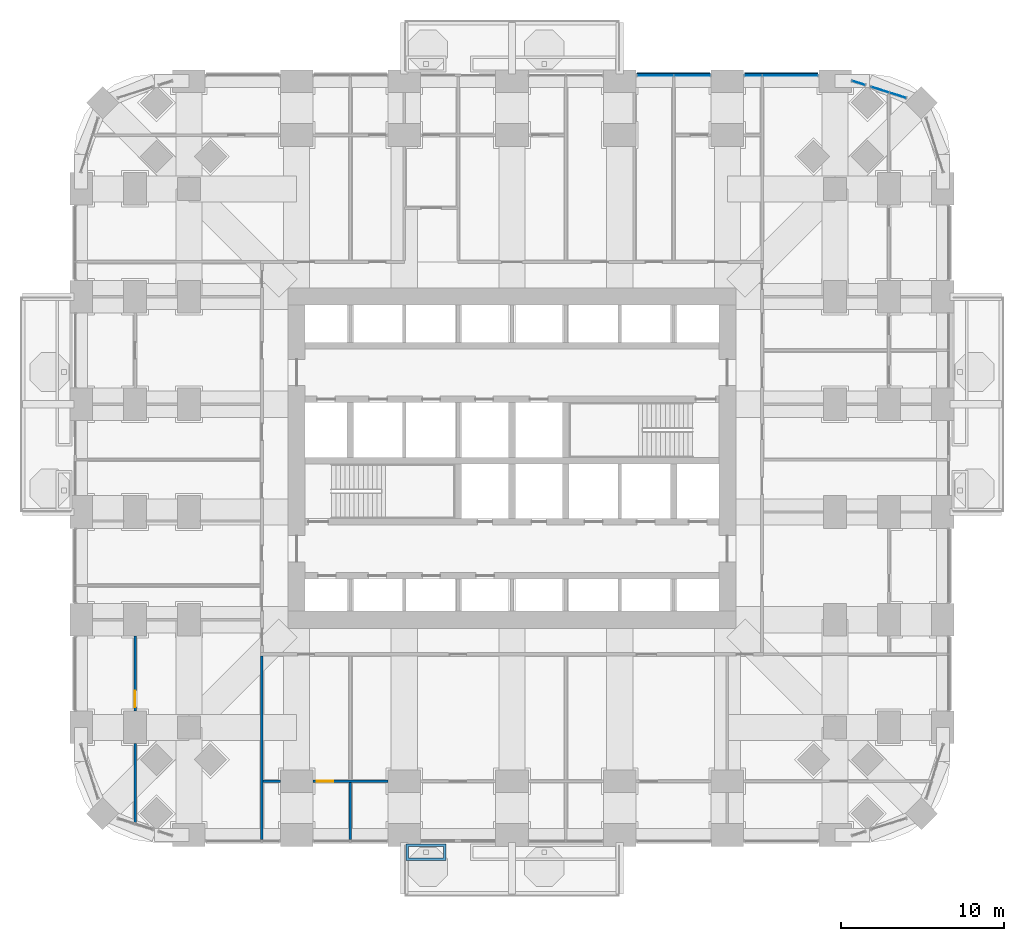
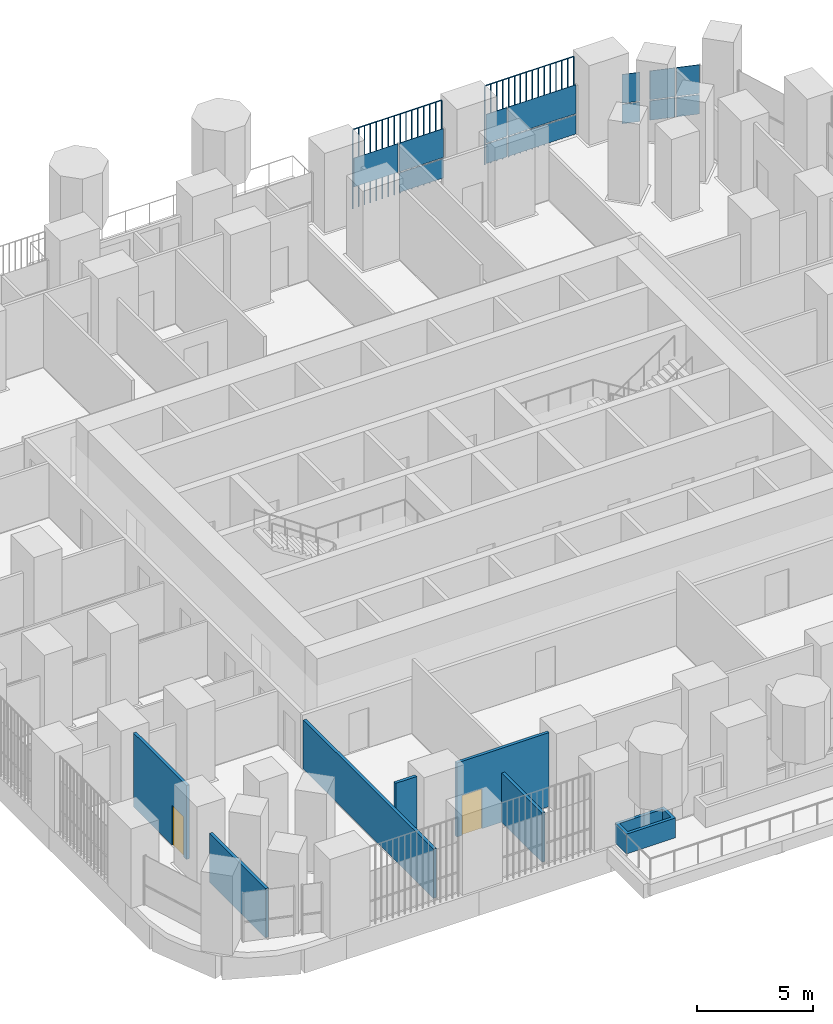
# One storey, part 15 of 25: 15 plates, 7 walls, 2 doors, 2 openings, 4 elements without a shape of their own.
"""IFC4 building model written with IfcOpenShell, lengths in metres."""

from ifc_helpers import new_model, si_unit, direction, frame, frame_2d, origin, origin_2d, place, context, subcontext, project, spatial, polyline, rectangle, outline, extrude, material, layer, layer_set, type_object, element, fill, aggregate, save


model = new_model("IFC4")

# Units and contexts
model_context = context("Model", 3, precision=1e-05, world=origin(), true_north=direction((0.0, 1.0)))
body_context = subcontext(model_context, "Body", "Model", "MODEL_VIEW")
ifc_project = project(units=[si_unit("LENGTHUNIT", "METRE"), si_unit("AREAUNIT", "SQUARE_METRE"), si_unit("VOLUMEUNIT", "CUBIC_METRE"), si_unit("PLANEANGLEUNIT", "RADIAN"), si_unit("MASSUNIT", "GRAM", prefix="KILO")], contexts=[model_context])

# Site, building, storey
site_placement = place(None, origin())
site = spatial("IfcSite", under=ifc_project, at=site_placement, CompositionType="ELEMENT")
building_placement = place(site_placement, origin())
building = spatial("IfcBuilding", under=site, at=building_placement, Name="Cobogo Forest Laboratory Tower", CompositionType="ELEMENT")
storey_placement = place(building_placement, frame((0.0, 0.0, 67.5)))
storey = spatial("IfcBuildingStorey", under=building, at=storey_placement, Name="L15", CompositionType="ELEMENT", Elevation=67.5)

# Curtain wall, plates
ifc_material_1 = material(Name="Aluminium curtain wall", Category="aluminium")
curtain_wall_type = type_object("IfcCurtainWallType", Name="CW-1 unitised curtain wall, clear glazing, laboratory floors zones A and B", PredefinedType="USERDEFINED", material=ifc_material_1)
curtain_wall_1_placement = place(storey_placement, origin())
curtain_wall_1 = element("IfcCurtainWall", 1, at=curtain_wall_1_placement, inside=storey, type_object=curtain_wall_type, Name="Curtain wall 16 L15", ObjectType="UNITISED CURTAIN WALL", PredefinedType="USERDEFINED")
ifc_material_2 = material(Name="Clear insulated glass", Category="glass")
ifc_layer_1 = layer(ifc_material_2, 0.028076171875)
ifc_layer_set_1 = layer_set([ifc_layer_1], Name="GP-1 clear insulated glass unit 28")
plate_type_1 = type_object("IfcPlateType", Name="GP-1 clear insulated glass unit 28", PredefinedType="CURTAIN_PANEL", material=ifc_layer_set_1)
plate_1_placement = place(storey_placement, frame((50.042724609375, 45.33642578125, 0.0), z_axis=(0.0, 0.0, 1.0), x_axis=(-0.953581409645, 0.301135343623, 0.0)))
plate_1 = element("IfcPlate", 2, at=plate_1_placement, type_object=plate_type_1, Name="CW-1 panel 1.1", PredefinedType="CURTAIN_PANEL", context=body_context, shape_type="SweptSolid", body=[
    extrude(rectangle(XDim=1.027587890625, YDim=0.028076171875, at=origin_2d()), origin(), (0.0, 0.0, 1.0), 1.02001953125),
])
plate_2_placement = place(storey_placement, frame((50.042724609375, 45.33642578125, 1.080078125), z_axis=(0.0, 0.0, 1.0), x_axis=(-0.953581409645, 0.301135343623, 0.0)))
plate_2 = element("IfcPlate", 3, at=plate_2_placement, type_object=plate_type_1, Name="CW-1 panel 1.2", PredefinedType="CURTAIN_PANEL", context=body_context, shape_type="SweptSolid", body=[
    extrude(rectangle(XDim=1.027587890625, YDim=0.028076171875, at=origin_2d()), origin(), (0.0, 0.0, 1.0), 1.52001953125),
])
plate_3_placement = place(storey_placement, frame((48.963623046875, 45.67724609375, 0.0), z_axis=(0.0, 0.0, 1.0), x_axis=(-0.953581409645, 0.301135343623, 0.0)))
plate_3 = element("IfcPlate", 4, at=plate_3_placement, type_object=plate_type_1, Name="CW-1 panel 2.1", PredefinedType="CURTAIN_PANEL", context=body_context, shape_type="SweptSolid", body=[
    extrude(rectangle(XDim=1.11572265625, YDim=0.028076171875, at=origin_2d()), origin(), (0.0, 0.0, 1.0), 1.02001953125),
])
plate_4_placement = place(storey_placement, frame((48.963623046875, 45.67724609375, 1.080078125), z_axis=(0.0, 0.0, 1.0), x_axis=(-0.953581409645, 0.301135343623, 0.0)))
plate_4 = element("IfcPlate", 5, at=plate_4_placement, type_object=plate_type_1, Name="CW-1 panel 2.2", PredefinedType="CURTAIN_PANEL", context=body_context, shape_type="SweptSolid", body=[
    extrude(rectangle(XDim=1.11572265625, YDim=0.028076171875, at=origin_2d()), origin(), (0.0, 0.0, 1.0), 1.52001953125),
])
aggregate(curtain_wall_1, [plate_1, plate_2, plate_3, plate_4])

curtain_wall_2_placement = place(storey_placement, origin())
curtain_wall_2 = element("IfcCurtainWall", 6, at=curtain_wall_2_placement, inside=storey, type_object=curtain_wall_type, Name="Curtain wall 17 L15", ObjectType="UNITISED CURTAIN WALL", PredefinedType="USERDEFINED")
plate_5_placement = place(storey_placement, frame((47.640869140625, 46.094970703125, 0.0), z_axis=(0.0, 0.0, 1.0), x_axis=(-0.953581406818, 0.301135352577, 0.0)))
plate_5 = element("IfcPlate", 7, at=plate_5_placement, type_object=plate_type_1, Name="CW-1 panel 1.1", PredefinedType="CURTAIN_PANEL", context=body_context, shape_type="SweptSolid", body=[
    extrude(rectangle(XDim=0.804931640625, YDim=0.028076171875, at=origin_2d()), origin(), (0.0, 0.0, 1.0), 1.02001953125),
])
plate_6_placement = place(storey_placement, frame((47.640869140625, 46.094970703125, 1.080078125), z_axis=(0.0, 0.0, 1.0), x_axis=(-0.953581406818, 0.301135352577, 0.0)))
plate_6 = element("IfcPlate", 8, at=plate_6_placement, type_object=plate_type_1, Name="CW-1 panel 1.2", PredefinedType="CURTAIN_PANEL", context=body_context, shape_type="SweptSolid", body=[
    extrude(rectangle(XDim=0.804931640625, YDim=0.028076171875, at=origin_2d()), origin(), (0.0, 0.0, 1.0), 1.52001953125),
])
aggregate(curtain_wall_2, [plate_5, plate_6])

curtain_wall_3_placement = place(storey_placement, origin())
curtain_wall_3 = element("IfcCurtainWall", 9, at=curtain_wall_3_placement, inside=storey, type_object=curtain_wall_type, Name="Curtain wall 18 L15", ObjectType="UNITISED CURTAIN WALL", PredefinedType="USERDEFINED")
plate_7_placement = place(storey_placement, frame((43.447509765625, 46.550048828125, 0.0), z_axis=(0.0, 0.0, 1.0), x_axis=(-1.0, 0.0, 0.0)))
plate_7 = element("IfcPlate", 10, at=plate_7_placement, type_object=plate_type_1, Name="CW-1 panel 1.1", PredefinedType="CURTAIN_PANEL", context=body_context, shape_type="SweptSolid", body=[
    extrude(rectangle(XDim=3.385009765625, YDim=0.028076171875, at=origin_2d()), origin(), (0.0, 0.0, 1.0), 1.02001953125),
])
plate_8_placement = place(storey_placement, frame((43.447509765625, 46.550048828125, 1.080078125), z_axis=(0.0, 0.0, 1.0), x_axis=(-1.0, 0.0, 0.0)))
plate_8 = element("IfcPlate", 11, at=plate_8_placement, type_object=plate_type_1, Name="CW-1 panel 1.2", PredefinedType="CURTAIN_PANEL", context=body_context, shape_type="SweptSolid", body=[
    extrude(rectangle(XDim=3.385009765625, YDim=0.028076171875, at=origin_2d()), origin(), (0.0, 0.0, 1.0), 1.52001953125),
])
plate_9_placement = place(storey_placement, frame((41.177490234375, 46.550048828125, 0.0), z_axis=(0.0, 0.0, 1.0), x_axis=(-1.0, 0.0, 0.0)))
plate_9 = element("IfcPlate", 12, at=plate_9_placement, type_object=plate_type_1, Name="CW-1 panel 2.1", PredefinedType="CURTAIN_PANEL", context=body_context, shape_type="SweptSolid", body=[
    extrude(rectangle(XDim=1.034912109375, YDim=0.028076171875, at=origin_2d()), origin(), (0.0, 0.0, 1.0), 1.02001953125),
])
plate_10_placement = place(storey_placement, frame((41.177490234375, 46.550048828125, 1.080078125), z_axis=(0.0, 0.0, 1.0), x_axis=(-1.0, 0.0, 0.0)))
plate_10 = element("IfcPlate", 13, at=plate_10_placement, type_object=plate_type_1, Name="CW-1 panel 2.2", PredefinedType="CURTAIN_PANEL", context=body_context, shape_type="SweptSolid", body=[
    extrude(rectangle(XDim=1.034912109375, YDim=0.028076171875, at=origin_2d()), origin(), (0.0, 0.0, 1.0), 1.52001953125),
])
aggregate(curtain_wall_3, [plate_7, plate_8, plate_9, plate_10])

curtain_wall_4_placement = place(storey_placement, origin())
curtain_wall_4 = element("IfcCurtainWall", 14, at=curtain_wall_4_placement, inside=storey, type_object=curtain_wall_type, Name="Curtain wall 19 L15", ObjectType="UNITISED CURTAIN WALL", PredefinedType="USERDEFINED")
plate_11_placement = place(storey_placement, frame((37.43505859375, 46.550048828125, 0.0), z_axis=(0.0, 0.0, 1.0), x_axis=(-1.0, 0.0, 0.0)))
plate_11 = element("IfcPlate", 15, at=plate_11_placement, type_object=plate_type_1, Name="CW-1 panel 1.1", PredefinedType="CURTAIN_PANEL", context=body_context, shape_type="SweptSolid", body=[
    extrude(rectangle(XDim=2.2099609375, YDim=0.028076171875, at=origin_2d()), origin(), (0.0, 0.0, 1.0), 1.02001953125),
])
plate_12_placement = place(storey_placement, frame((37.43505859375, 46.550048828125, 1.080078125), z_axis=(0.0, 0.0, 1.0), x_axis=(-1.0, 0.0, 0.0)))
plate_12 = element("IfcPlate", 16, at=plate_12_placement, type_object=plate_type_1, Name="CW-1 panel 1.2", PredefinedType="CURTAIN_PANEL", context=body_context, shape_type="SweptSolid", body=[
    extrude(rectangle(XDim=2.2099609375, YDim=0.028076171875, at=origin_2d()), origin(), (0.0, 0.0, 1.0), 1.52001953125),
])
plate_13_placement = place(storey_placement, frame((35.1650390625, 46.550048828125, 1.080078125), z_axis=(0.0, 0.0, 1.0), x_axis=(-1.0, 0.0, 0.0)))
plate_13 = element("IfcPlate", 17, at=plate_13_placement, type_object=plate_type_1, Name="CW-1 panel 2.2", PredefinedType="CURTAIN_PANEL", context=body_context, shape_type="SweptSolid", body=[
    extrude(rectangle(XDim=2.2099609375, YDim=0.028076171875, at=origin_2d()), origin(), (0.0, 0.0, 1.0), 1.52001953125),
])
aggregate(curtain_wall_4, [plate_11, plate_12, plate_13])

# Plates
ifc_material_3 = material(Name="Terracotta", Category="masonry")
plate_type_2 = type_object("IfcPlateType", Name="TB1 terracotta baguette screen", PredefinedType="USERDEFINED", material=ifc_material_3)
plate_14_placement = place(storey_placement, frame((34.081298828125, 46.677978515625, -0.14990234375)))
element("IfcPlate", 18, at=plate_14_placement, inside=storey, type_object=plate_type_2, Name="Baguette screen N5 L15", ObjectType="BAGUETTE SCREEN", PredefinedType="USERDEFINED", context=body_context, shape_type="SweptSolid", body=[
    extrude(outline(polyline([(0.02880859375, 0.011962890625), (0.011962890625, 0.02880859375), (-0.011962890625, 0.02880859375), (-0.02880859375, 0.011962890625), (-0.02880859375, -0.011962890625), (-0.011962890625, -0.02880859375), (0.011962890625, -0.02880859375), (0.02880859375, -0.011962890625), (0.02880859375, 0.011962890625)])), frame((0.0, 0.0, 4.168701171875), z_axis=(1.0, 0.0, 0.0), x_axis=(0.0, 1.0, 0.0)), (0.0, 0.0, 1.0), 4.4375),
    extrude(outline(polyline([(0.02880859375, 0.011962890625), (0.011962890625, 0.02880859375), (-0.011962890625, 0.02880859375), (-0.02880859375, 0.011962890625), (-0.02880859375, -0.011962890625), (-0.011962890625, -0.02880859375), (0.011962890625, -0.02880859375), (0.02880859375, -0.011962890625), (0.02880859375, 0.011962890625)])), origin(), (0.0, 0.0, 1.0), 4.137451171875),
    extrude(outline(polyline([(0.02880859375, 0.011962890625), (0.011962890625, 0.02880859375), (-0.011962890625, 0.02880859375), (-0.02880859375, 0.011962890625), (-0.02880859375, -0.011962890625), (-0.011962890625, -0.02880859375), (0.011962890625, -0.02880859375), (0.02880859375, -0.011962890625), (0.02880859375, 0.011962890625)])), frame((0.2958984375, 0.0, 0.0)), (0.0, 0.0, 1.0), 4.137451171875),
    extrude(outline(polyline([(0.02880859375, 0.011962890625), (0.011962890625, 0.02880859375), (-0.011962890625, 0.02880859375), (-0.02880859375, 0.011962890625), (-0.02880859375, -0.011962890625), (-0.011962890625, -0.02880859375), (0.011962890625, -0.02880859375), (0.02880859375, -0.011962890625), (0.02880859375, 0.011962890625)])), frame((0.591552734375, 0.0, 0.0)), (0.0, 0.0, 1.0), 4.137451171875),
    extrude(outline(polyline([(0.02880859375, 0.011962890625), (0.011962890625, 0.02880859375), (-0.011962890625, 0.02880859375), (-0.02880859375, 0.011962890625), (-0.02880859375, -0.011962890625), (-0.011962890625, -0.02880859375), (0.011962890625, -0.02880859375), (0.02880859375, -0.011962890625), (0.02880859375, 0.011962890625)])), frame((0.887451171875, 0.0, 0.0)), (0.0, 0.0, 1.0), 4.137451171875),
    extrude(outline(polyline([(0.02880859375, 0.011962890625), (0.011962890625, 0.02880859375), (-0.011962890625, 0.02880859375), (-0.02880859375, 0.011962890625), (-0.02880859375, -0.011962890625), (-0.011962890625, -0.02880859375), (0.011962890625, -0.02880859375), (0.02880859375, -0.011962890625), (0.02880859375, 0.011962890625)])), frame((1.183349609375, 0.0, 0.0)), (0.0, 0.0, 1.0), 4.137451171875),
    extrude(outline(polyline([(0.02880859375, 0.011962890625), (0.011962890625, 0.02880859375), (-0.011962890625, 0.02880859375), (-0.02880859375, 0.011962890625), (-0.02880859375, -0.011962890625), (-0.011962890625, -0.02880859375), (0.011962890625, -0.02880859375), (0.02880859375, -0.011962890625), (0.02880859375, 0.011962890625)])), frame((1.479248046875, 0.0, 0.0)), (0.0, 0.0, 1.0), 4.137451171875),
    extrude(outline(polyline([(0.02880859375, 0.011962890625), (0.011962890625, 0.02880859375), (-0.011962890625, 0.02880859375), (-0.02880859375, 0.011962890625), (-0.02880859375, -0.011962890625), (-0.011962890625, -0.02880859375), (0.011962890625, -0.02880859375), (0.02880859375, -0.011962890625), (0.02880859375, 0.011962890625)])), frame((1.77490234375, 0.0, 0.0)), (0.0, 0.0, 1.0), 4.137451171875),
    extrude(outline(polyline([(0.02880859375, 0.011962890625), (0.011962890625, 0.02880859375), (-0.011962890625, 0.02880859375), (-0.02880859375, 0.011962890625), (-0.02880859375, -0.011962890625), (-0.011962890625, -0.02880859375), (0.011962890625, -0.02880859375), (0.02880859375, -0.011962890625), (0.02880859375, 0.011962890625)])), frame((2.07080078125, 0.0, 0.0)), (0.0, 0.0, 1.0), 4.137451171875),
    extrude(outline(polyline([(0.02880859375, 0.011962890625), (0.011962890625, 0.02880859375), (-0.011962890625, 0.02880859375), (-0.02880859375, 0.011962890625), (-0.02880859375, -0.011962890625), (-0.011962890625, -0.02880859375), (0.011962890625, -0.02880859375), (0.02880859375, -0.011962890625), (0.02880859375, 0.011962890625)])), frame((2.36669921875, 0.0, 0.0)), (0.0, 0.0, 1.0), 4.137451171875),
    extrude(outline(polyline([(0.02880859375, 0.011962890625), (0.011962890625, 0.02880859375), (-0.011962890625, 0.02880859375), (-0.02880859375, 0.011962890625), (-0.02880859375, -0.011962890625), (-0.011962890625, -0.02880859375), (0.011962890625, -0.02880859375), (0.02880859375, -0.011962890625), (0.02880859375, 0.011962890625)])), frame((2.66259765625, 0.0, 0.0)), (0.0, 0.0, 1.0), 4.137451171875),
    extrude(outline(polyline([(0.02880859375, 0.011962890625), (0.011962890625, 0.02880859375), (-0.011962890625, 0.02880859375), (-0.02880859375, 0.011962890625), (-0.02880859375, -0.011962890625), (-0.011962890625, -0.02880859375), (0.011962890625, -0.02880859375), (0.02880859375, -0.011962890625), (0.02880859375, 0.011962890625)])), frame((2.958251953125, 0.0, 0.0)), (0.0, 0.0, 1.0), 4.137451171875),
    extrude(outline(polyline([(0.02880859375, 0.011962890625), (0.011962890625, 0.02880859375), (-0.011962890625, 0.02880859375), (-0.02880859375, 0.011962890625), (-0.02880859375, -0.011962890625), (-0.011962890625, -0.02880859375), (0.011962890625, -0.02880859375), (0.02880859375, -0.011962890625), (0.02880859375, 0.011962890625)])), frame((3.254150390625, 0.0, 0.0)), (0.0, 0.0, 1.0), 4.137451171875),
    extrude(outline(polyline([(0.02880859375, 0.011962890625), (0.011962890625, 0.02880859375), (-0.011962890625, 0.02880859375), (-0.02880859375, 0.011962890625), (-0.02880859375, -0.011962890625), (-0.011962890625, -0.02880859375), (0.011962890625, -0.02880859375), (0.02880859375, -0.011962890625), (0.02880859375, 0.011962890625)])), frame((3.550048828125, 0.0, 0.0)), (0.0, 0.0, 1.0), 4.137451171875),
    extrude(outline(polyline([(0.02880859375, 0.011962890625), (0.011962890625, 0.02880859375), (-0.011962890625, 0.02880859375), (-0.02880859375, 0.011962890625), (-0.02880859375, -0.011962890625), (-0.011962890625, -0.02880859375), (0.011962890625, -0.02880859375), (0.02880859375, -0.011962890625), (0.02880859375, 0.011962890625)])), frame((3.845947265625, 0.0, 0.0)), (0.0, 0.0, 1.0), 4.137451171875),
    extrude(outline(polyline([(0.02880859375, 0.011962890625), (0.011962890625, 0.02880859375), (-0.011962890625, 0.02880859375), (-0.02880859375, 0.011962890625), (-0.02880859375, -0.011962890625), (-0.011962890625, -0.02880859375), (0.011962890625, -0.02880859375), (0.02880859375, -0.011962890625), (0.02880859375, 0.011962890625)])), frame((4.1416015625, 0.0, 0.0)), (0.0, 0.0, 1.0), 4.137451171875),
    extrude(outline(polyline([(0.02880859375, 0.011962890625), (0.011962890625, 0.02880859375), (-0.011962890625, 0.02880859375), (-0.02880859375, 0.011962890625), (-0.02880859375, -0.011962890625), (-0.011962890625, -0.02880859375), (0.011962890625, -0.02880859375), (0.02880859375, -0.011962890625), (0.02880859375, 0.011962890625)])), frame((4.4375, 0.0, 0.0)), (0.0, 0.0, 1.0), 4.137451171875),
])
plate_15_placement = place(storey_placement, frame((40.68115234375, 46.677978515625, -0.14990234375)))
element("IfcPlate", 19, at=plate_15_placement, inside=storey, type_object=plate_type_2, Name="Baguette screen N6 L15", ObjectType="BAGUETTE SCREEN", PredefinedType="USERDEFINED", context=body_context, shape_type="SweptSolid", body=[
    extrude(outline(polyline([(0.02880859375, 0.011962890625), (0.011962890625, 0.02880859375), (-0.011962890625, 0.02880859375), (-0.02880859375, 0.011962890625), (-0.02880859375, -0.011962890625), (-0.011962890625, -0.02880859375), (0.011962890625, -0.02880859375), (0.02880859375, -0.011962890625), (0.02880859375, 0.011962890625)])), frame((0.0, 0.0, 4.168701171875), z_axis=(1.0, 0.0, 0.0), x_axis=(0.0, 1.0, 0.0)), (0.0, 0.0, 1.0), 4.4375),
    extrude(outline(polyline([(0.02880859375, 0.011962890625), (0.011962890625, 0.02880859375), (-0.011962890625, 0.02880859375), (-0.02880859375, 0.011962890625), (-0.02880859375, -0.011962890625), (-0.011962890625, -0.02880859375), (0.011962890625, -0.02880859375), (0.02880859375, -0.011962890625), (0.02880859375, 0.011962890625)])), origin(), (0.0, 0.0, 1.0), 4.137451171875),
    extrude(outline(polyline([(0.02880859375, 0.011962890625), (0.011962890625, 0.02880859375), (-0.011962890625, 0.02880859375), (-0.02880859375, 0.011962890625), (-0.02880859375, -0.011962890625), (-0.011962890625, -0.02880859375), (0.011962890625, -0.02880859375), (0.02880859375, -0.011962890625), (0.02880859375, 0.011962890625)])), frame((0.2958984375, 0.0, 0.0)), (0.0, 0.0, 1.0), 4.137451171875),
    extrude(outline(polyline([(0.02880859375, 0.011962890625), (0.011962890625, 0.02880859375), (-0.011962890625, 0.02880859375), (-0.02880859375, 0.011962890625), (-0.02880859375, -0.011962890625), (-0.011962890625, -0.02880859375), (0.011962890625, -0.02880859375), (0.02880859375, -0.011962890625), (0.02880859375, 0.011962890625)])), frame((0.591552734375, 0.0, 0.0)), (0.0, 0.0, 1.0), 4.137451171875),
    extrude(outline(polyline([(0.02880859375, 0.011962890625), (0.011962890625, 0.02880859375), (-0.011962890625, 0.02880859375), (-0.02880859375, 0.011962890625), (-0.02880859375, -0.011962890625), (-0.011962890625, -0.02880859375), (0.011962890625, -0.02880859375), (0.02880859375, -0.011962890625), (0.02880859375, 0.011962890625)])), frame((0.887451171875, 0.0, 0.0)), (0.0, 0.0, 1.0), 4.137451171875),
    extrude(outline(polyline([(0.02880859375, 0.011962890625), (0.011962890625, 0.02880859375), (-0.011962890625, 0.02880859375), (-0.02880859375, 0.011962890625), (-0.02880859375, -0.011962890625), (-0.011962890625, -0.02880859375), (0.011962890625, -0.02880859375), (0.02880859375, -0.011962890625), (0.02880859375, 0.011962890625)])), frame((1.183349609375, 0.0, 0.0)), (0.0, 0.0, 1.0), 4.137451171875),
    extrude(outline(polyline([(0.02880859375, 0.011962890625), (0.011962890625, 0.02880859375), (-0.011962890625, 0.02880859375), (-0.02880859375, 0.011962890625), (-0.02880859375, -0.011962890625), (-0.011962890625, -0.02880859375), (0.011962890625, -0.02880859375), (0.02880859375, -0.011962890625), (0.02880859375, 0.011962890625)])), frame((1.479248046875, 0.0, 0.0)), (0.0, 0.0, 1.0), 4.137451171875),
    extrude(outline(polyline([(0.02880859375, 0.011962890625), (0.011962890625, 0.02880859375), (-0.011962890625, 0.02880859375), (-0.02880859375, 0.011962890625), (-0.02880859375, -0.011962890625), (-0.011962890625, -0.02880859375), (0.011962890625, -0.02880859375), (0.02880859375, -0.011962890625), (0.02880859375, 0.011962890625)])), frame((1.77490234375, 0.0, 0.0)), (0.0, 0.0, 1.0), 4.137451171875),
    extrude(outline(polyline([(0.02880859375, 0.011962890625), (0.011962890625, 0.02880859375), (-0.011962890625, 0.02880859375), (-0.02880859375, 0.011962890625), (-0.02880859375, -0.011962890625), (-0.011962890625, -0.02880859375), (0.011962890625, -0.02880859375), (0.02880859375, -0.011962890625), (0.02880859375, 0.011962890625)])), frame((2.07080078125, 0.0, 0.0)), (0.0, 0.0, 1.0), 4.137451171875),
    extrude(outline(polyline([(0.02880859375, 0.011962890625), (0.011962890625, 0.02880859375), (-0.011962890625, 0.02880859375), (-0.02880859375, 0.011962890625), (-0.02880859375, -0.011962890625), (-0.011962890625, -0.02880859375), (0.011962890625, -0.02880859375), (0.02880859375, -0.011962890625), (0.02880859375, 0.011962890625)])), frame((2.36669921875, 0.0, 0.0)), (0.0, 0.0, 1.0), 4.137451171875),
    extrude(outline(polyline([(0.02880859375, 0.011962890625), (0.011962890625, 0.02880859375), (-0.011962890625, 0.02880859375), (-0.02880859375, 0.011962890625), (-0.02880859375, -0.011962890625), (-0.011962890625, -0.02880859375), (0.011962890625, -0.02880859375), (0.02880859375, -0.011962890625), (0.02880859375, 0.011962890625)])), frame((2.66259765625, 0.0, 0.0)), (0.0, 0.0, 1.0), 4.137451171875),
    extrude(outline(polyline([(0.02880859375, 0.011962890625), (0.011962890625, 0.02880859375), (-0.011962890625, 0.02880859375), (-0.02880859375, 0.011962890625), (-0.02880859375, -0.011962890625), (-0.011962890625, -0.02880859375), (0.011962890625, -0.02880859375), (0.02880859375, -0.011962890625), (0.02880859375, 0.011962890625)])), frame((2.958251953125, 0.0, 0.0)), (0.0, 0.0, 1.0), 4.137451171875),
    extrude(outline(polyline([(0.02880859375, 0.011962890625), (0.011962890625, 0.02880859375), (-0.011962890625, 0.02880859375), (-0.02880859375, 0.011962890625), (-0.02880859375, -0.011962890625), (-0.011962890625, -0.02880859375), (0.011962890625, -0.02880859375), (0.02880859375, -0.011962890625), (0.02880859375, 0.011962890625)])), frame((3.254150390625, 0.0, 0.0)), (0.0, 0.0, 1.0), 4.137451171875),
    extrude(outline(polyline([(0.02880859375, 0.011962890625), (0.011962890625, 0.02880859375), (-0.011962890625, 0.02880859375), (-0.02880859375, 0.011962890625), (-0.02880859375, -0.011962890625), (-0.011962890625, -0.02880859375), (0.011962890625, -0.02880859375), (0.02880859375, -0.011962890625), (0.02880859375, 0.011962890625)])), frame((3.550048828125, 0.0, 0.0)), (0.0, 0.0, 1.0), 4.137451171875),
    extrude(outline(polyline([(0.02880859375, 0.011962890625), (0.011962890625, 0.02880859375), (-0.011962890625, 0.02880859375), (-0.02880859375, 0.011962890625), (-0.02880859375, -0.011962890625), (-0.011962890625, -0.02880859375), (0.011962890625, -0.02880859375), (0.02880859375, -0.011962890625), (0.02880859375, 0.011962890625)])), frame((3.845947265625, 0.0, 0.0)), (0.0, 0.0, 1.0), 4.137451171875),
    extrude(outline(polyline([(0.02880859375, 0.011962890625), (0.011962890625, 0.02880859375), (-0.011962890625, 0.02880859375), (-0.02880859375, 0.011962890625), (-0.02880859375, -0.011962890625), (-0.011962890625, -0.02880859375), (0.011962890625, -0.02880859375), (0.02880859375, -0.011962890625), (0.02880859375, 0.011962890625)])), frame((4.1416015625, 0.0, 0.0)), (0.0, 0.0, 1.0), 4.137451171875),
    extrude(outline(polyline([(0.02880859375, 0.011962890625), (0.011962890625, 0.02880859375), (-0.011962890625, 0.02880859375), (-0.02880859375, 0.011962890625), (-0.02880859375, -0.011962890625), (-0.011962890625, -0.02880859375), (0.011962890625, -0.02880859375), (0.02880859375, -0.011962890625), (0.02880859375, 0.011962890625)])), frame((4.4375, 0.0, 0.0)), (0.0, 0.0, 1.0), 4.137451171875),
])

# Walls
ifc_material_4 = material(Name="Gypsum board on steel studs", Category="steel")
ifc_layer_2 = layer(ifc_material_4, 0.14990234375)
ifc_layer_set_2 = layer_set([ifc_layer_2], Name="PT1 laboratory partition 150")
wall_type_1 = type_object("IfcWallType", Name="PT1 laboratory partition 150", PredefinedType="PARTITIONING", material=ifc_layer_set_2)
wall_1_placement = place(storey_placement, frame((11.074951171875, -0.27001953125, 0.0), z_axis=(0.0, 0.0, 1.0), x_axis=(0.0, 1.0, 0.0)))
element("IfcWall", 20, at=wall_1_placement, inside=storey, type_object=wall_type_1, Name="Partition PW-SW L15", PredefinedType="PARTITIONING", context=body_context, shape_type="SweptSolid", body=[
    extrude(rectangle(XDim=11.2451171875, YDim=0.14990234375, at=frame_2d((5.62255859375, 0.0))), origin(), (0.0, 0.0, 1.0), 2.60009765625),
])
wall_2_placement = place(storey_placement, frame((11.14990234375, 3.300048828125, 0.0), z_axis=(0.0, 0.0, 1.0), x_axis=(1.0, 0.0, 0.0)))
element("IfcWall", 21, at=wall_2_placement, inside=storey, type_object=wall_type_1, Name="Partition STRIP-S-1 L15", PredefinedType="PARTITIONING", context=body_context, shape_type="SweptSolid", body=[
    extrude(rectangle(XDim=1.050048828125, YDim=0.14990234375, at=frame_2d((0.52490234375, 0.0))), origin(), (0.0, 0.0, 1.0), 3.89990234375),
])

# Wall, opening, door
wall_3_placement = place(storey_placement, frame((14.199951171875, 3.300048828125, 0.0), z_axis=(0.0, 0.0, 1.0), x_axis=(1.0, 0.0, 0.0)))
wall_3 = element("IfcWall", 22, at=wall_3_placement, inside=storey, type_object=wall_type_1, Name="Partition STRIP-S-2 L15", PredefinedType="PARTITIONING", context=body_context, shape_type="SweptSolid", body=[
    extrude(rectangle(XDim=4.60009765625, YDim=0.14990234375, at=frame_2d((2.300048828125, 0.0))), origin(), (0.0, 0.0, 1.0), 3.89990234375),
])
opening_1_placement = place(wall_3_placement, frame((0.25, 0.0, 0.0)))
opening_1 = element("IfcOpeningElement", 23, at=opening_1_placement, cuts=wall_3, Name="Opening L15-D02", PredefinedType="OPENING", context=body_context, shape_type="SweptSolid", body=[
    extrude(rectangle(XDim=1.0, YDim=2.10009765625, at=frame_2d((0.5, 1.050048828125))), frame((0.0, 0.0849609375, 0.0), z_axis=(0.0, -1.0, 0.0), x_axis=(1.0, 0.0, 0.0)), (0.0, 0.0, 1.0), 0.169921875),
])
ifc_material_5 = material(Name="Timber fire door", Category="wood")
door_type = type_object("IfcDoorType", Name="FD2 fire door 1000 EI2 30", OperationType="SINGLE_SWING_LEFT", PredefinedType="DOOR", material=ifc_material_5)
door_1_placement = place(opening_1_placement, origin())
door_1 = element("IfcDoor", 24, at=door_1_placement, inside=storey, type_object=door_type, Name="Door L15-S1W", OperationType="SINGLE_SWING_LEFT", OverallHeight=2.10009765625, OverallWidth=1.0, PredefinedType="DOOR", context=body_context, shape_type="SweptSolid", body=[
    extrude(rectangle(XDim=1.0, YDim=2.10009765625, at=frame_2d((0.5, 1.050048828125))), frame((0.0, 0.02490234375, 0.0), z_axis=(0.0, -1.0, 0.0), x_axis=(1.0, 0.0, 0.0)), (0.0, 0.0, 1.0), 0.050048828125),
])
fill(opening_1, door_1)

# Wall
wall_4_placement = place(storey_placement, frame((16.5, -0.27001953125, 0.0), z_axis=(0.0, 0.0, 1.0), x_axis=(0.0, 1.0, 0.0)))
element("IfcWall", 25, at=wall_4_placement, inside=storey, type_object=wall_type_1, Name="Partition CUT-S16.5a-1 L15", PredefinedType="PARTITIONING", context=body_context, shape_type="SweptSolid", body=[
    extrude(rectangle(XDim=3.4951171875, YDim=0.14990234375, at=frame_2d((1.74755859375, 0.0))), origin(), (0.0, 0.0, 1.0), 2.60009765625),
])

# Wall, opening, door
wall_5_placement = place(storey_placement, frame((3.300048828125, 12.199951171875, 0.0), z_axis=(0.0, 0.0, 1.0), x_axis=(0.0, -1.0, 0.0)))
wall_5 = element("IfcWall", 26, at=wall_5_placement, inside=storey, type_object=wall_type_1, Name="Partition STRIP-W-2 L15", PredefinedType="PARTITIONING", context=body_context, shape_type="SweptSolid", body=[
    extrude(rectangle(XDim=4.599853515625, YDim=0.14990234375, at=frame_2d((2.2998046875, 0.0))), origin(), (0.0, 0.0, 1.0), 3.89990234375),
])
opening_2_placement = place(wall_5_placement, frame((3.35009765625, 0.0, 0.0)))
opening_2 = element("IfcOpeningElement", 27, at=opening_2_placement, cuts=wall_5, Name="Opening L15-D06", PredefinedType="OPENING", context=body_context, shape_type="SweptSolid", body=[
    extrude(rectangle(XDim=1.0, YDim=2.10009765625, at=frame_2d((0.5, 1.050048828125))), frame((0.0, 0.0849609375, 0.0), z_axis=(0.0, -1.0, 0.0), x_axis=(1.0, 0.0, 0.0)), (0.0, 0.0, 1.0), 0.169921875),
])
door_2_placement = place(opening_2_placement, origin())
door_2 = element("IfcDoor", 28, at=door_2_placement, inside=storey, type_object=door_type, Name="Door L15-W1W", OperationType="SINGLE_SWING_RIGHT", OverallHeight=2.10009765625, OverallWidth=1.0, PredefinedType="DOOR", context=body_context, shape_type="SweptSolid", body=[
    extrude(rectangle(XDim=1.0, YDim=2.10009765625, at=frame_2d((0.5, 1.050048828125))), frame((0.0, 0.02490234375, 0.0), z_axis=(0.0, -1.0, 0.0), x_axis=(1.0, 0.0, 0.0)), (0.0, 0.0, 1.0), 0.050048828125),
])
fill(opening_2, door_2)

# Walls
wall_6_placement = place(storey_placement, frame((3.300048828125, 5.60009765625, 0.0), z_axis=(0.0, 0.0, 1.0), x_axis=(0.0, -1.0, 0.0)))
element("IfcWall", 29, at=wall_6_placement, inside=storey, type_object=wall_type_1, Name="Partition STRIP-W-3 L15", PredefinedType="PARTITIONING", context=body_context, shape_type="SweptSolid", body=[
    extrude(rectangle(XDim=4.823974609375, YDim=0.14990234375, at=frame_2d((2.412109375, 0.0))), origin(), (0.0, 0.0, 1.0), 2.60009765625),
])
ifc_material_6 = material(Name="Concrete HA-40 (C40/50)", Category="concrete")
ifc_layer_3 = layer(ifc_material_6, 0.14990234375)
ifc_layer_set_3 = layer_set([ifc_layer_3], Name="Planter box 1000x1050")
wall_type_2 = type_object("IfcWallType", Name="Planter box 1000x1050", PredefinedType="USERDEFINED", material=ifc_layer_set_3)
wall_7_placement = place(storey_placement, origin())
element("IfcWall", 30, at=wall_7_placement, inside=storey, type_object=wall_type_2, Name="Planter BAL-S1-1 L15", ObjectType="PLANTER", PredefinedType="USERDEFINED", context=body_context, shape_type="SweptSolid", body=[
    extrude(outline(polyline([(19.89990234375, -1.550048828125), (22.35009765625, -1.550048828125), (22.35009765625, -0.550048828125), (19.89990234375, -0.550048828125), (19.89990234375, -1.550048828125)]), holes=[polyline([(20.050048828125, -1.39990234375), (22.199951171875, -1.39990234375), (22.199951171875, -0.699951171875), (20.050048828125, -0.699951171875), (20.050048828125, -1.39990234375)])]), origin(), (0.0, 0.0, 1.0), 1.050048828125),
])

save(model, "model.ifc")
